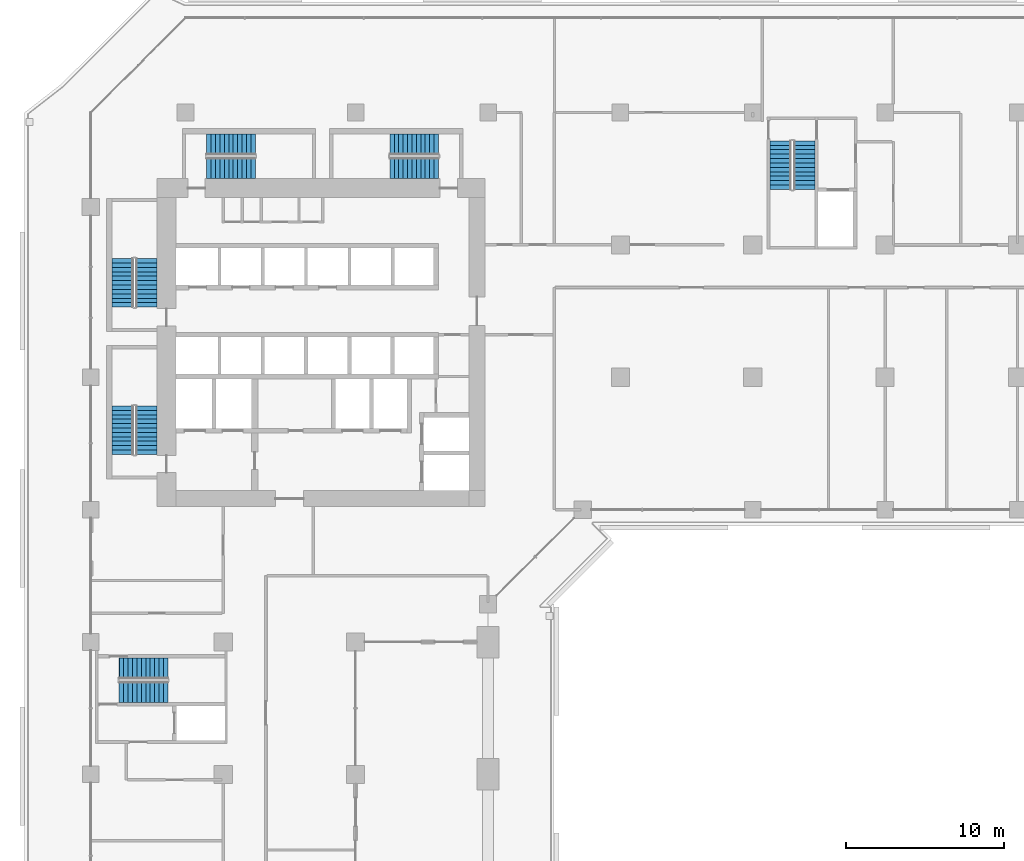
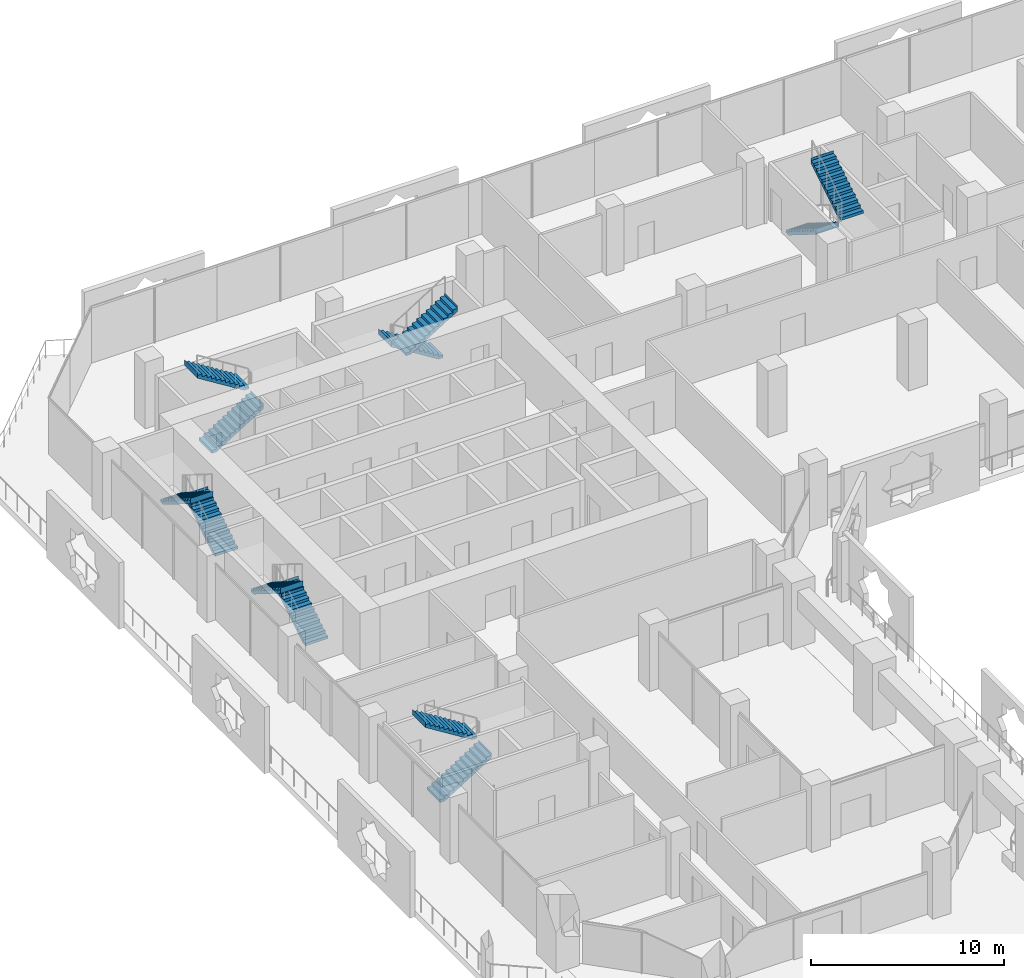
# One storey, part 18 of 25: 12 stair flights, 6 elements without a shape of their own.
"""IFC4 building model written with IfcOpenShell, lengths in metres."""

from ifc_helpers import new_model, si_unit, direction, frame, origin, place, context, subcontext, project, spatial, polyline, outline, extrude, material, type_object, element, aggregate, save


model = new_model("IFC4")

# Units and contexts
model_context = context("Model", 3, precision=1e-05, world=origin(), true_north=direction((0.0, 1.0)))
body_context = subcontext(model_context, "Body", "Model", "MODEL_VIEW")
ifc_project = project(units=[si_unit("LENGTHUNIT", "METRE"), si_unit("AREAUNIT", "SQUARE_METRE"), si_unit("VOLUMEUNIT", "CUBIC_METRE"), si_unit("PLANEANGLEUNIT", "RADIAN"), si_unit("MASSUNIT", "GRAM", prefix="KILO")], contexts=[model_context])

# Site, building, storey
site_placement = place(None, origin())
site = spatial("IfcSite", under=ifc_project, at=site_placement, CompositionType="ELEMENT")
building_placement = place(site_placement, origin())
building = spatial("IfcBuilding", under=site, at=building_placement, Name="Kawkab Arch Medical Tower", CompositionType="ELEMENT")
storey_placement = place(building_placement, frame((0.0, 0.0, 98.800048828125)))
storey = spatial("IfcBuildingStorey", under=building, at=storey_placement, Name="L22", CompositionType="ELEMENT", Elevation=98.800048828125)

# Stair, stair flights
ifc_material_1 = material(Name="Concrete C40/50", Category="concrete")
stair_type = type_object("IfcStairType", Name="Exit stair 1350", PredefinedType="HALF_TURN_STAIR", material=ifc_material_1)
placement = place(storey_placement, origin())
stair_1 = element("IfcStair", 1, at=placement, inside=storey, type_object=stair_type, Name="L22 Exit stair ST1", PredefinedType="HALF_TURN_STAIR")
ifc_material_2 = material(Name="Concrete C40/50", Category="concrete")
stair_flight_type = type_object("IfcStairFlightType", Name="Exit stair flight 1350", PredefinedType="STRAIGHT", material=ifc_material_2)
stair_flight_1_placement = place(storey_placement, frame((3.52490234375, -12.35009765625, 0.0), z_axis=(0.0, 0.0, 1.0), x_axis=(0.0, 1.0, 0.0)))
stair_flight_1 = element("IfcStairFlight", 2, at=stair_flight_1_placement, type_object=stair_flight_type, Name="ST1 flight 1", NumberOfRisers=12, NumberOfTreads=11, PredefinedType="STRAIGHT", RiserHeight=0.175, TreadLength=0.28, context=body_context, shape_type="SweptSolid", body=[
    extrude(outline(polyline([(-0.0029296875, 0.0), (-0.0029296875, 0.175048828125), (0.0, 0.175048828125), (0.280029296875, 0.175048828125), (0.280029296875, 0.35009765625), (0.56005859375, 0.35009765625), (0.56005859375, 0.52490234375), (0.840087890625, 0.52490234375), (0.840087890625, 0.699951171875), (1.1201171875, 0.699951171875), (1.1201171875, 0.875), (1.39990234375, 0.875), (1.39990234375, 1.050048828125), (1.679931640625, 1.050048828125), (1.679931640625, 1.22509765625), (1.9599609375, 1.22509765625), (1.9599609375, 1.39990234375), (2.239990234375, 1.39990234375), (2.239990234375, 1.574951171875), (2.52001953125, 1.574951171875), (2.52001953125, 1.75), (2.800048828125, 1.75), (2.800048828125, 1.925048828125), (3.080078125, 1.925048828125), (3.080078125, 2.10009765625), (3.0830078125, 2.10009765625), (3.0830078125, 1.748291015625), (3.080078125, 1.748291015625), (0.28271484375, 0.0), (-0.0029296875, 0.0)])), frame((0.0, 0.675048828125, 0.0), z_axis=(0.0, -1.0, 0.0), x_axis=(1.0, 0.0, 0.0)), (0.0, 0.0, 1.0), 1.35009765625),
])
stair_flight_2_placement = place(storey_placement, frame((2.02490234375, -9.27001953125, 2.099853515625), z_axis=(0.0, 0.0, 1.0), x_axis=(0.0, -1.0, 0.0)))
stair_flight_2 = element("IfcStairFlight", 3, at=stair_flight_2_placement, type_object=stair_flight_type, Name="ST1 flight 2", NumberOfRisers=12, NumberOfTreads=11, PredefinedType="STRAIGHT", RiserHeight=0.175, TreadLength=0.28, context=body_context, shape_type="SweptSolid", body=[
    extrude(outline(polyline([(-0.0029296875, 0.0), (-0.0029296875, 0.175048828125), (0.0, 0.175048828125), (0.280029296875, 0.175048828125), (0.280029296875, 0.35009765625), (0.56005859375, 0.35009765625), (0.56005859375, 0.52490234375), (0.840087890625, 0.52490234375), (0.840087890625, 0.699951171875), (1.1201171875, 0.699951171875), (1.1201171875, 0.875), (1.39990234375, 0.875), (1.39990234375, 1.050048828125), (1.679931640625, 1.050048828125), (1.679931640625, 1.22509765625), (1.9599609375, 1.22509765625), (1.9599609375, 1.39990234375), (2.239990234375, 1.39990234375), (2.239990234375, 1.574951171875), (2.52001953125, 1.574951171875), (2.52001953125, 1.75), (2.800048828125, 1.75), (2.800048828125, 1.925048828125), (3.080078125, 1.925048828125), (3.080078125, 2.10009765625), (3.0830078125, 2.10009765625), (3.0830078125, 1.748291015625), (3.080078125, 1.748291015625), (0.28271484375, 0.0), (-0.0029296875, 0.0)])), frame((0.0, 0.675048828125, 0.0), z_axis=(0.0, -1.0, 0.0), x_axis=(1.0, 0.0, 0.0)), (0.0, 0.0, 1.0), 1.35009765625),
])
aggregate(stair_1, [stair_flight_1, stair_flight_2])

stair_2 = element("IfcStair", 4, at=placement, inside=storey, type_object=stair_type, Name="L22 Exit stair ST2", PredefinedType="HALF_TURN_STAIR")
stair_flight_3_placement = place(storey_placement, frame((3.52490234375, -21.699951171875, 0.0), z_axis=(0.0, 0.0, 1.0), x_axis=(0.0, 1.0, 0.0)))
stair_flight_3 = element("IfcStairFlight", 5, at=stair_flight_3_placement, type_object=stair_flight_type, Name="ST2 flight 1", NumberOfRisers=12, NumberOfTreads=11, PredefinedType="STRAIGHT", RiserHeight=0.175, TreadLength=0.28, context=body_context, shape_type="SweptSolid", body=[
    extrude(outline(polyline([(-0.0029296875, 0.0), (-0.0029296875, 0.175048828125), (0.0, 0.175048828125), (0.280029296875, 0.175048828125), (0.280029296875, 0.35009765625), (0.56005859375, 0.35009765625), (0.56005859375, 0.52490234375), (0.840087890625, 0.52490234375), (0.840087890625, 0.699951171875), (1.1201171875, 0.699951171875), (1.1201171875, 0.875), (1.39990234375, 0.875), (1.39990234375, 1.050048828125), (1.679931640625, 1.050048828125), (1.679931640625, 1.22509765625), (1.9599609375, 1.22509765625), (1.9599609375, 1.39990234375), (2.239990234375, 1.39990234375), (2.239990234375, 1.574951171875), (2.52001953125, 1.574951171875), (2.52001953125, 1.75), (2.800048828125, 1.75), (2.800048828125, 1.925048828125), (3.080078125, 1.925048828125), (3.080078125, 2.10009765625), (3.0830078125, 2.10009765625), (3.0830078125, 1.748291015625), (3.080078125, 1.748291015625), (0.28271484375, 0.0), (-0.0029296875, 0.0)])), frame((0.0, 0.675048828125, 0.0), z_axis=(0.0, -1.0, 0.0), x_axis=(1.0, 0.0, 0.0)), (0.0, 0.0, 1.0), 1.35009765625),
])
stair_flight_4_placement = place(storey_placement, frame((2.02490234375, -18.6201171875, 2.099853515625), z_axis=(0.0, 0.0, 1.0), x_axis=(0.0, -1.0, 0.0)))
stair_flight_4 = element("IfcStairFlight", 6, at=stair_flight_4_placement, type_object=stair_flight_type, Name="ST2 flight 2", NumberOfRisers=12, NumberOfTreads=11, PredefinedType="STRAIGHT", RiserHeight=0.175, TreadLength=0.28, context=body_context, shape_type="SweptSolid", body=[
    extrude(outline(polyline([(-0.0029296875, 0.0), (-0.0029296875, 0.175048828125), (0.0, 0.175048828125), (0.280029296875, 0.175048828125), (0.280029296875, 0.35009765625), (0.56005859375, 0.35009765625), (0.56005859375, 0.52490234375), (0.840087890625, 0.52490234375), (0.840087890625, 0.699951171875), (1.1201171875, 0.699951171875), (1.1201171875, 0.875), (1.39990234375, 0.875), (1.39990234375, 1.050048828125), (1.679931640625, 1.050048828125), (1.679931640625, 1.22509765625), (1.9599609375, 1.22509765625), (1.9599609375, 1.39990234375), (2.239990234375, 1.39990234375), (2.239990234375, 1.574951171875), (2.52001953125, 1.574951171875), (2.52001953125, 1.75), (2.800048828125, 1.75), (2.800048828125, 1.925048828125), (3.080078125, 1.925048828125), (3.080078125, 2.10009765625), (3.0830078125, 2.10009765625), (3.0830078125, 1.748291015625), (3.080078125, 1.748291015625), (0.28271484375, 0.0), (-0.0029296875, 0.0)])), frame((0.0, 0.675048828125, 0.0), z_axis=(0.0, -1.0, 0.0), x_axis=(1.0, 0.0, 0.0)), (0.0, 0.0, 1.0), 1.35009765625),
])
aggregate(stair_2, [stair_flight_3, stair_flight_4])

stair_3 = element("IfcStair", 7, at=placement, inside=storey, type_object=stair_type, Name="L22 Exit stair ST3", PredefinedType="HALF_TURN_STAIR")
stair_flight_5_placement = place(storey_placement, frame((7.35009765625, -3.52490234375, 0.0), z_axis=(0.0, 0.0, 1.0), x_axis=(1.0, 0.0, 0.0)))
stair_flight_5 = element("IfcStairFlight", 8, at=stair_flight_5_placement, type_object=stair_flight_type, Name="ST3 flight 1", NumberOfRisers=12, NumberOfTreads=11, PredefinedType="STRAIGHT", RiserHeight=0.175, TreadLength=0.28, context=body_context, shape_type="SweptSolid", body=[
    extrude(outline(polyline([(-0.0029296875, 0.0), (-0.0029296875, 0.175048828125), (0.0, 0.175048828125), (0.280029296875, 0.175048828125), (0.280029296875, 0.35009765625), (0.56005859375, 0.35009765625), (0.56005859375, 0.52490234375), (0.840087890625, 0.52490234375), (0.840087890625, 0.699951171875), (1.1201171875, 0.699951171875), (1.1201171875, 0.875), (1.39990234375, 0.875), (1.39990234375, 1.050048828125), (1.679931640625, 1.050048828125), (1.679931640625, 1.22509765625), (1.9599609375, 1.22509765625), (1.9599609375, 1.39990234375), (2.239990234375, 1.39990234375), (2.239990234375, 1.574951171875), (2.52001953125, 1.574951171875), (2.52001953125, 1.75), (2.800048828125, 1.75), (2.800048828125, 1.925048828125), (3.080078125, 1.925048828125), (3.080078125, 2.10009765625), (3.0830078125, 2.10009765625), (3.0830078125, 1.748291015625), (3.080078125, 1.748291015625), (0.28271484375, 0.0), (-0.0029296875, 0.0)])), frame((0.0, 0.675048828125, 0.0), z_axis=(0.0, -1.0, 0.0), x_axis=(1.0, 0.0, 0.0)), (0.0, 0.0, 1.0), 1.35009765625),
])
stair_flight_6_placement = place(storey_placement, frame((10.429931640625, -2.02490234375, 2.099853515625), z_axis=(0.0, 0.0, 1.0), x_axis=(-1.0, 0.0, 0.0)))
stair_flight_6 = element("IfcStairFlight", 9, at=stair_flight_6_placement, type_object=stair_flight_type, Name="ST3 flight 2", NumberOfRisers=12, NumberOfTreads=11, PredefinedType="STRAIGHT", RiserHeight=0.175, TreadLength=0.28, context=body_context, shape_type="SweptSolid", body=[
    extrude(outline(polyline([(-0.0029296875, 0.0), (-0.0029296875, 0.175048828125), (0.0, 0.175048828125), (0.280029296875, 0.175048828125), (0.280029296875, 0.35009765625), (0.56005859375, 0.35009765625), (0.56005859375, 0.52490234375), (0.840087890625, 0.52490234375), (0.840087890625, 0.699951171875), (1.1201171875, 0.699951171875), (1.1201171875, 0.875), (1.39990234375, 0.875), (1.39990234375, 1.050048828125), (1.679931640625, 1.050048828125), (1.679931640625, 1.22509765625), (1.9599609375, 1.22509765625), (1.9599609375, 1.39990234375), (2.239990234375, 1.39990234375), (2.239990234375, 1.574951171875), (2.52001953125, 1.574951171875), (2.52001953125, 1.75), (2.800048828125, 1.75), (2.800048828125, 1.925048828125), (3.080078125, 1.925048828125), (3.080078125, 2.10009765625), (3.0830078125, 2.10009765625), (3.0830078125, 1.748291015625), (3.080078125, 1.748291015625), (0.28271484375, 0.0), (-0.0029296875, 0.0)])), frame((0.0, 0.675048828125, 0.0), z_axis=(0.0, -1.0, 0.0), x_axis=(1.0, 0.0, 0.0)), (0.0, 0.0, 1.0), 1.35009765625),
])
aggregate(stair_3, [stair_flight_5, stair_flight_6])

stair_4 = element("IfcStair", 10, at=placement, inside=storey, type_object=stair_type, Name="L22 Exit stair ST4", PredefinedType="HALF_TURN_STAIR")
stair_flight_7_placement = place(storey_placement, frame((22.050048828125, -2.02490234375, 0.0), z_axis=(0.0, 0.0, 1.0), x_axis=(-1.0, 0.0, 0.0)))
stair_flight_7 = element("IfcStairFlight", 11, at=stair_flight_7_placement, type_object=stair_flight_type, Name="ST4 flight 1", NumberOfRisers=12, NumberOfTreads=11, PredefinedType="STRAIGHT", RiserHeight=0.175, TreadLength=0.28, context=body_context, shape_type="SweptSolid", body=[
    extrude(outline(polyline([(-0.0029296875, 0.0), (-0.0029296875, 0.175048828125), (0.0, 0.175048828125), (0.280029296875, 0.175048828125), (0.280029296875, 0.35009765625), (0.56005859375, 0.35009765625), (0.56005859375, 0.52490234375), (0.840087890625, 0.52490234375), (0.840087890625, 0.699951171875), (1.1201171875, 0.699951171875), (1.1201171875, 0.875), (1.39990234375, 0.875), (1.39990234375, 1.050048828125), (1.679931640625, 1.050048828125), (1.679931640625, 1.22509765625), (1.9599609375, 1.22509765625), (1.9599609375, 1.39990234375), (2.239990234375, 1.39990234375), (2.239990234375, 1.574951171875), (2.52001953125, 1.574951171875), (2.52001953125, 1.75), (2.800048828125, 1.75), (2.800048828125, 1.925048828125), (3.080078125, 1.925048828125), (3.080078125, 2.10009765625), (3.0830078125, 2.10009765625), (3.0830078125, 1.748291015625), (3.080078125, 1.748291015625), (0.28271484375, 0.0), (-0.0029296875, 0.0)])), frame((0.0, 0.675048828125, 0.0), z_axis=(0.0, -1.0, 0.0), x_axis=(1.0, 0.0, 0.0)), (0.0, 0.0, 1.0), 1.35009765625),
])
stair_flight_8_placement = place(storey_placement, frame((18.969970703125, -3.52490234375, 2.099853515625), z_axis=(0.0, 0.0, 1.0), x_axis=(1.0, 0.0, 0.0)))
stair_flight_8 = element("IfcStairFlight", 12, at=stair_flight_8_placement, type_object=stair_flight_type, Name="ST4 flight 2", NumberOfRisers=12, NumberOfTreads=11, PredefinedType="STRAIGHT", RiserHeight=0.175, TreadLength=0.28, context=body_context, shape_type="SweptSolid", body=[
    extrude(outline(polyline([(-0.0029296875, 0.0), (-0.0029296875, 0.175048828125), (0.0, 0.175048828125), (0.280029296875, 0.175048828125), (0.280029296875, 0.35009765625), (0.56005859375, 0.35009765625), (0.56005859375, 0.52490234375), (0.840087890625, 0.52490234375), (0.840087890625, 0.699951171875), (1.1201171875, 0.699951171875), (1.1201171875, 0.875), (1.39990234375, 0.875), (1.39990234375, 1.050048828125), (1.679931640625, 1.050048828125), (1.679931640625, 1.22509765625), (1.9599609375, 1.22509765625), (1.9599609375, 1.39990234375), (2.239990234375, 1.39990234375), (2.239990234375, 1.574951171875), (2.52001953125, 1.574951171875), (2.52001953125, 1.75), (2.800048828125, 1.75), (2.800048828125, 1.925048828125), (3.080078125, 1.925048828125), (3.080078125, 2.10009765625), (3.0830078125, 2.10009765625), (3.0830078125, 1.748291015625), (3.080078125, 1.748291015625), (0.28271484375, 0.0), (-0.0029296875, 0.0)])), frame((0.0, 0.675048828125, 0.0), z_axis=(0.0, -1.0, 0.0), x_axis=(1.0, 0.0, 0.0)), (0.0, 0.0, 1.0), 1.35009765625),
])
aggregate(stair_4, [stair_flight_7, stair_flight_8])

stair_5 = element("IfcStair", 13, at=placement, inside=storey, type_object=stair_type, Name="L22 Exit stair ST5", PredefinedType="HALF_TURN_STAIR")
stair_flight_9_placement = place(storey_placement, frame((43.77490234375, -1.800048828125, 0.0), z_axis=(0.0, 0.0, 1.0), x_axis=(0.0, -1.0, 0.0)))
stair_flight_9 = element("IfcStairFlight", 14, at=stair_flight_9_placement, type_object=stair_flight_type, Name="ST5 flight 1", NumberOfRisers=12, NumberOfTreads=11, PredefinedType="STRAIGHT", RiserHeight=0.175, TreadLength=0.28, context=body_context, shape_type="SweptSolid", body=[
    extrude(outline(polyline([(-0.0029296875, 0.0), (-0.0029296875, 0.175048828125), (0.0, 0.175048828125), (0.280029296875, 0.175048828125), (0.280029296875, 0.35009765625), (0.56005859375, 0.35009765625), (0.56005859375, 0.52490234375), (0.840087890625, 0.52490234375), (0.840087890625, 0.699951171875), (1.1201171875, 0.699951171875), (1.1201171875, 0.875), (1.39990234375, 0.875), (1.39990234375, 1.050048828125), (1.679931640625, 1.050048828125), (1.679931640625, 1.22509765625), (1.9599609375, 1.22509765625), (1.9599609375, 1.39990234375), (2.239990234375, 1.39990234375), (2.239990234375, 1.574951171875), (2.52001953125, 1.574951171875), (2.52001953125, 1.75), (2.800048828125, 1.75), (2.800048828125, 1.925048828125), (3.080078125, 1.925048828125), (3.080078125, 2.10009765625), (3.0830078125, 2.10009765625), (3.0830078125, 1.748291015625), (3.080078125, 1.748291015625), (0.28271484375, 0.0), (-0.0029296875, 0.0)])), frame((0.0, 0.675048828125, 0.0), z_axis=(0.0, -1.0, 0.0), x_axis=(1.0, 0.0, 0.0)), (0.0, 0.0, 1.0), 1.35009765625),
])
stair_flight_10_placement = place(storey_placement, frame((45.27490234375, -4.8798828125, 2.099853515625), z_axis=(0.0, 0.0, 1.0), x_axis=(0.0, 1.0, 0.0)))
stair_flight_10 = element("IfcStairFlight", 15, at=stair_flight_10_placement, type_object=stair_flight_type, Name="ST5 flight 2", NumberOfRisers=12, NumberOfTreads=11, PredefinedType="STRAIGHT", RiserHeight=0.175, TreadLength=0.28, context=body_context, shape_type="SweptSolid", body=[
    extrude(outline(polyline([(-0.0029296875, 0.0), (-0.0029296875, 0.175048828125), (0.0, 0.175048828125), (0.280029296875, 0.175048828125), (0.280029296875, 0.35009765625), (0.56005859375, 0.35009765625), (0.56005859375, 0.52490234375), (0.840087890625, 0.52490234375), (0.840087890625, 0.699951171875), (1.1201171875, 0.699951171875), (1.1201171875, 0.875), (1.39990234375, 0.875), (1.39990234375, 1.050048828125), (1.679931640625, 1.050048828125), (1.679931640625, 1.22509765625), (1.9599609375, 1.22509765625), (1.9599609375, 1.39990234375), (2.239990234375, 1.39990234375), (2.239990234375, 1.574951171875), (2.52001953125, 1.574951171875), (2.52001953125, 1.75), (2.800048828125, 1.75), (2.800048828125, 1.925048828125), (3.080078125, 1.925048828125), (3.080078125, 2.10009765625), (3.0830078125, 2.10009765625), (3.0830078125, 1.748291015625), (3.080078125, 1.748291015625), (0.28271484375, 0.0), (-0.0029296875, 0.0)])), frame((0.0, 0.675048828125, 0.0), z_axis=(0.0, -1.0, 0.0), x_axis=(1.0, 0.0, 0.0)), (0.0, 0.0, 1.0), 1.35009765625),
])
aggregate(stair_5, [stair_flight_9, stair_flight_10])

stair_6 = element("IfcStair", 16, at=placement, inside=storey, type_object=stair_type, Name="L22 Exit stair ST6", PredefinedType="HALF_TURN_STAIR")
stair_flight_11_placement = place(storey_placement, frame((1.800048828125, -36.77490234375, 0.0), z_axis=(0.0, 0.0, 1.0), x_axis=(1.0, 0.0, 0.0)))
stair_flight_11 = element("IfcStairFlight", 17, at=stair_flight_11_placement, type_object=stair_flight_type, Name="ST6 flight 1", NumberOfRisers=12, NumberOfTreads=11, PredefinedType="STRAIGHT", RiserHeight=0.175, TreadLength=0.28, context=body_context, shape_type="SweptSolid", body=[
    extrude(outline(polyline([(-0.0029296875, 0.0), (-0.0029296875, 0.175048828125), (0.0, 0.175048828125), (0.280029296875, 0.175048828125), (0.280029296875, 0.35009765625), (0.56005859375, 0.35009765625), (0.56005859375, 0.52490234375), (0.840087890625, 0.52490234375), (0.840087890625, 0.699951171875), (1.1201171875, 0.699951171875), (1.1201171875, 0.875), (1.39990234375, 0.875), (1.39990234375, 1.050048828125), (1.679931640625, 1.050048828125), (1.679931640625, 1.22509765625), (1.9599609375, 1.22509765625), (1.9599609375, 1.39990234375), (2.239990234375, 1.39990234375), (2.239990234375, 1.574951171875), (2.52001953125, 1.574951171875), (2.52001953125, 1.75), (2.800048828125, 1.75), (2.800048828125, 1.925048828125), (3.080078125, 1.925048828125), (3.080078125, 2.10009765625), (3.0830078125, 2.10009765625), (3.0830078125, 1.748291015625), (3.080078125, 1.748291015625), (0.28271484375, 0.0), (-0.0029296875, 0.0)])), frame((0.0, 0.675048828125, 0.0), z_axis=(0.0, -1.0, 0.0), x_axis=(1.0, 0.0, 0.0)), (0.0, 0.0, 1.0), 1.35009765625),
])
stair_flight_12_placement = place(storey_placement, frame((4.8798828125, -35.27490234375, 2.099853515625), z_axis=(0.0, 0.0, 1.0), x_axis=(-1.0, 0.0, 0.0)))
stair_flight_12 = element("IfcStairFlight", 18, at=stair_flight_12_placement, type_object=stair_flight_type, Name="ST6 flight 2", NumberOfRisers=12, NumberOfTreads=11, PredefinedType="STRAIGHT", RiserHeight=0.175, TreadLength=0.28, context=body_context, shape_type="SweptSolid", body=[
    extrude(outline(polyline([(-0.0029296875, 0.0), (-0.0029296875, 0.175048828125), (0.0, 0.175048828125), (0.280029296875, 0.175048828125), (0.280029296875, 0.35009765625), (0.56005859375, 0.35009765625), (0.56005859375, 0.52490234375), (0.840087890625, 0.52490234375), (0.840087890625, 0.699951171875), (1.1201171875, 0.699951171875), (1.1201171875, 0.875), (1.39990234375, 0.875), (1.39990234375, 1.050048828125), (1.679931640625, 1.050048828125), (1.679931640625, 1.22509765625), (1.9599609375, 1.22509765625), (1.9599609375, 1.39990234375), (2.239990234375, 1.39990234375), (2.239990234375, 1.574951171875), (2.52001953125, 1.574951171875), (2.52001953125, 1.75), (2.800048828125, 1.75), (2.800048828125, 1.925048828125), (3.080078125, 1.925048828125), (3.080078125, 2.10009765625), (3.0830078125, 2.10009765625), (3.0830078125, 1.748291015625), (3.080078125, 1.748291015625), (0.28271484375, 0.0), (-0.0029296875, 0.0)])), frame((0.0, 0.675048828125, 0.0), z_axis=(0.0, -1.0, 0.0), x_axis=(1.0, 0.0, 0.0)), (0.0, 0.0, 1.0), 1.35009765625),
])
aggregate(stair_6, [stair_flight_11, stair_flight_12])

save(model, "model.ifc")
